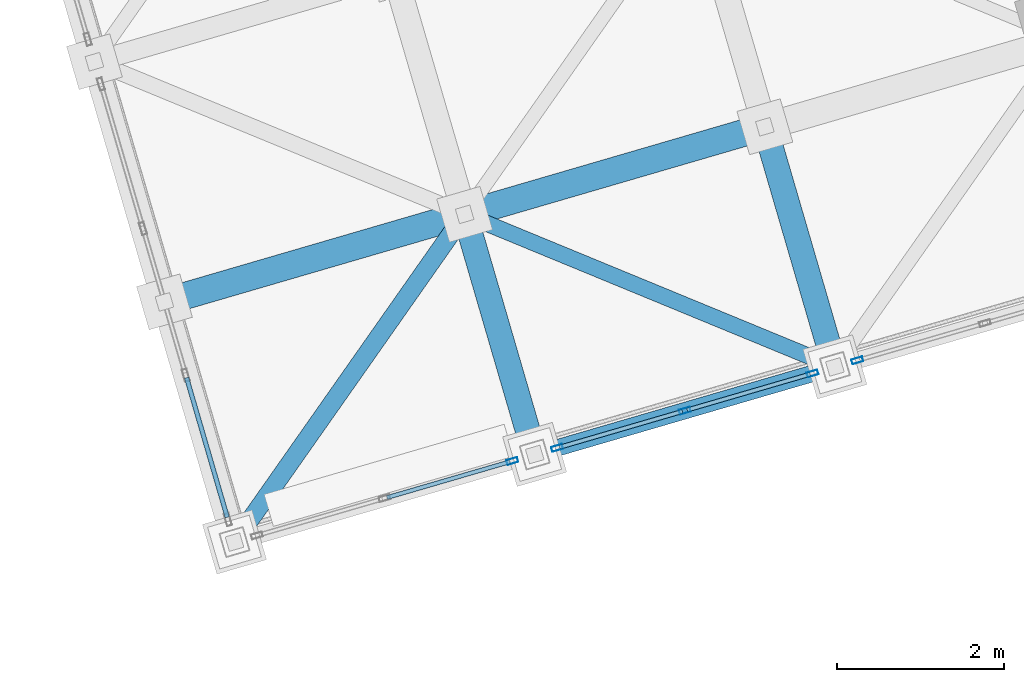
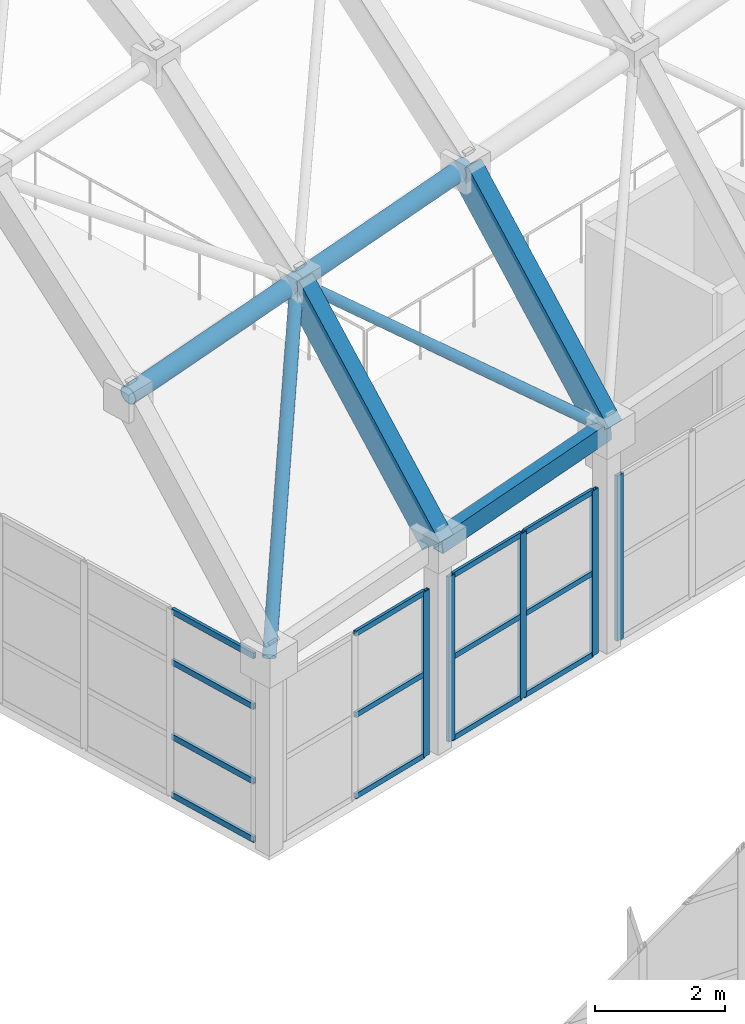
# One storey, part 32 of 248: 22 members, 3 beams, 4 elements without a shape of their own.
"""IFC4 building model written with IfcOpenShell, lengths in metres."""

from ifc_helpers import new_model, si_unit, direction, frame, origin, origin_2d, place, context, subcontext, project, spatial, hollow_rectangle, hollow_circle, extrude, material, layer, layer_set, material_profile, profile_set, type_object, element, aggregate, save


model = new_model("IFC4")

# Units and contexts
model_context = context("Model", 3, precision=1e-05, world=origin(), true_north=direction((0.0, 1.0)))
body_context = subcontext(model_context, "Body", "Model", "MODEL_VIEW")
ifc_project = project(units=[si_unit("LENGTHUNIT", "METRE"), si_unit("AREAUNIT", "SQUARE_METRE"), si_unit("VOLUMEUNIT", "CUBIC_METRE"), si_unit("PLANEANGLEUNIT", "RADIAN"), si_unit("MASSUNIT", "GRAM", prefix="KILO")], contexts=[model_context])

# Site, building, storey
site_placement = place(None, origin())
site = spatial("IfcSite", under=ifc_project, at=site_placement, CompositionType="ELEMENT")
building_placement = place(site_placement, origin())
building = spatial("IfcBuilding", under=site, at=building_placement, Name="Canggui Botanical Conservatory", CompositionType="ELEMENT")
storey_placement = place(building_placement, frame((0.0, 0.0, 5.39990234375)))
storey = spatial("IfcBuildingStorey", under=building, at=storey_placement, Name="L02", CompositionType="ELEMENT", Elevation=5.39990234375)

# Beams
ifc_material_1 = material(Name="Steel Q355C", Category="steel")
ifc_material_profile_1 = material_profile(ifc_material_1, hollow_rectangle(XDim=0.300048828125, YDim=0.5, WallThickness=0.01611328125, at=origin_2d()), Name="RHS 300x500x16")
ifc_profile_set_1 = profile_set([ifc_material_profile_1], Name="Steel Q355C")
beam_type_1 = type_object("IfcBeamType", Name="BM-GJ01", PredefinedType="BEAM", material=ifc_profile_set_1)
for number, where, z_axis, x_axis, name in (
    (1, (23.60009765625, 43.050048828125, 3.85009765625), (-0.183568061506, 0.629284758361, 0.755184387874), (-0.959989061447, -0.280037500885, 0.0), "Conservatory Stepped-Arch Rib GJ-02 Segment 1"),
    (2, (27.199951171875, 44.10009765625, 4.10009765625), (-0.183516511104, 0.629290920054, 0.755191782324), (-0.960010937337, -0.279962497833, 0.0), "Conservatory Stepped-Arch Rib GJ-03 Segment 1"),
):
    element("IfcBeam", number, at=place(storey_placement, frame(where, z_axis=z_axis, x_axis=x_axis)), inside=storey, type_object=beam_type_1, Name=name, PredefinedType="BEAM", context=body_context, shape_type="SweptSolid", body=[
        extrude(hollow_rectangle(XDim=0.300048828125, YDim=0.5, WallThickness=0.01611328125, at=origin_2d()), origin(), (0.0, 0.0, 1.0), 4.576416015625),
    ])
ifc_material_profile_2 = material_profile(ifc_material_1, hollow_rectangle(XDim=0.199951171875, YDim=0.35009765625, WallThickness=0.011962890625, at=origin_2d()), Name="RHS 200x350x12")
ifc_profile_set_2 = profile_set([ifc_material_profile_2], Name="Steel Q355C")
beam_type_2 = type_object("IfcBeamType", Name="BM-RING01", PredefinedType="BEAM", material=ifc_profile_set_2)
beam_placement = place(storey_placement, frame((23.60009765625, 43.050048828125, 3.85009765625), z_axis=(0.957867059601, 0.279402253194, 0.066521252562), x_axis=(-0.280022500685, 0.959993437014, 0.0)))
element("IfcBeam", 3, at=beam_placement, inside=storey, type_object=beam_type_2, Name="Conservatory Perimeter Ring Beam V0-02", PredefinedType="BEAM", context=body_context, shape_type="SweptSolid", body=[
    extrude(hollow_rectangle(XDim=0.199951171875, YDim=0.35009765625, WallThickness=0.011962890625, at=origin_2d()), origin(), (0.0, 0.0, 1.0), 3.75830078125),
])

# Curtain wall, member
ifc_material_2 = material(Name="Thermally Broken Aluminium", Category="aluminium")
ifc_layer_1 = layer(ifc_material_2, 0.135009765625, Name="Thermally Broken Aluminium", Category="aluminium")
ifc_layer_set_1 = layer_set([ifc_layer_1], Name="Thermally Broken Aluminium")
curtain_wall_type_1 = type_object("IfcCurtainWallType", Name="CW-STICK-A", PredefinedType="USERDEFINED", material=ifc_layer_set_1)
curtain_wall_1_placement = place(storey_placement, origin())
curtain_wall_1 = element("IfcCurtainWall", 4, at=curtain_wall_1_placement, inside=storey, type_object=curtain_wall_type_1, Name="Facade Curtain Wall CW-CONS-L02-V0-01", ObjectType="STICK GLAZED WALL", PredefinedType="USERDEFINED")
ifc_material_profile_3 = material_profile(ifc_material_2, hollow_rectangle(XDim=0.06005859375, YDim=0.135009765625, WallThickness=0.00341796875, at=origin_2d()), Name="CWM 60x135x3.5")
ifc_profile_set_3 = profile_set([ifc_material_profile_3], Name="Thermally Broken Aluminium")
member_type_1 = type_object("IfcMemberType", Name="CWM-04", PredefinedType="MULLION", material=ifc_profile_set_3)
member_1_placement = place(storey_placement, frame((23.331298828125, 42.9716796875, 0.0), z_axis=(0.0, 0.0, 1.0), x_axis=(0.279999999995, -0.960000000002, 0.0)))
member_1 = element("IfcMember", 5, at=member_1_placement, type_object=member_type_1, Name="CW-04 mullion 1", PredefinedType="MULLION", context=body_context, shape_type="SweptSolid", body=[
    extrude(hollow_rectangle(XDim=0.06005859375, YDim=0.135009765625, WallThickness=0.00341796875, at=origin_2d()), origin(), (0.0, 0.0, 1.0), 3.10009765625),
])

# Curtain wall, members
curtain_wall_2_placement = place(storey_placement, origin())
curtain_wall_2 = element("IfcCurtainWall", 6, at=curtain_wall_2_placement, inside=storey, type_object=curtain_wall_type_1, Name="Facade Curtain Wall CW-CONS-L02-V0-02", ObjectType="STICK GLAZED WALL", PredefinedType="USERDEFINED")
member_2_placement = place(storey_placement, frame((26.93115234375, 44.021484375, 0.0), z_axis=(0.0, 0.0, 1.0), x_axis=(0.279999999995, -0.960000000002, 0.0)))
member_2 = element("IfcMember", 7, at=member_2_placement, type_object=member_type_1, Name="CW-04 mullion 1", PredefinedType="MULLION", context=body_context, shape_type="SweptSolid", body=[
    extrude(hollow_rectangle(XDim=0.06005859375, YDim=0.135009765625, WallThickness=0.00341796875, at=origin_2d()), origin(), (0.0, 0.0, 1.0), 3.10009765625),
])
member_3_placement = place(storey_placement, frame((25.39990234375, 43.574951171875, 0.0), z_axis=(0.0, 0.0, 1.0), x_axis=(0.279999999995, -0.960000000002, 0.0)))
member_3 = element("IfcMember", 8, at=member_3_placement, type_object=member_type_1, Name="CW-04 mullion 2", PredefinedType="MULLION", context=body_context, shape_type="SweptSolid", body=[
    extrude(hollow_rectangle(XDim=0.06005859375, YDim=0.135009765625, WallThickness=0.00341796875, at=origin_2d()), origin(), (0.0, 0.0, 1.0), 3.10009765625),
])
member_4_placement = place(storey_placement, frame((23.868896484375, 43.12841796875, 0.0), z_axis=(0.0, 0.0, 1.0), x_axis=(0.279999999995, -0.960000000002, 0.0)))
member_4 = element("IfcMember", 9, at=member_4_placement, type_object=member_type_1, Name="CW-04 mullion 3", PredefinedType="MULLION", context=body_context, shape_type="SweptSolid", body=[
    extrude(hollow_rectangle(XDim=0.06005859375, YDim=0.135009765625, WallThickness=0.00341796875, at=origin_2d()), origin(), (0.0, 0.0, 1.0), 3.10009765625),
])

# Curtain wall, member
curtain_wall_3_placement = place(storey_placement, origin())
curtain_wall_3 = element("IfcCurtainWall", 10, at=curtain_wall_3_placement, inside=storey, type_object=curtain_wall_type_1, Name="Facade Curtain Wall CW-CONS-L02-V0-03", ObjectType="STICK GLAZED WALL", PredefinedType="USERDEFINED")
member_5_placement = place(storey_placement, frame((27.46875, 44.178466796875, 0.0), z_axis=(0.0, 0.0, 1.0), x_axis=(0.279999999995, -0.960000000002, 0.0)))
member_5 = element("IfcMember", 11, at=member_5_placement, type_object=member_type_1, Name="CW-04 mullion 3", PredefinedType="MULLION", context=body_context, shape_type="SweptSolid", body=[
    extrude(hollow_rectangle(XDim=0.06005859375, YDim=0.135009765625, WallThickness=0.00341796875, at=origin_2d()), origin(), (0.0, 0.0, 1.0), 3.10009765625),
])
aggregate(curtain_wall_3, [member_5])

# Curtain wall, members
ifc_layer_2 = layer(ifc_material_2, 0.14990234375, Name="Thermally Broken Aluminium", Category="aluminium")
ifc_layer_set_2 = layer_set([ifc_layer_2], Name="Thermally Broken Aluminium")
curtain_wall_type_2 = type_object("IfcCurtainWallType", Name="CW-UNIT-C", PredefinedType="USERDEFINED", material=ifc_layer_set_2)
curtain_wall_4_placement = place(storey_placement, origin())
curtain_wall_4 = element("IfcCurtainWall", 12, at=curtain_wall_4_placement, inside=storey, type_object=curtain_wall_type_2, Name="Facade Curtain Wall CW-CONS-GABLE-L02-S-01", ObjectType="UNITISED CURTAIN WALL", PredefinedType="USERDEFINED")
ifc_material_profile_4 = material_profile(ifc_material_2, hollow_rectangle(XDim=0.054931640625, YDim=0.110107421875, WallThickness=0.0029296875, at=origin_2d()), Name="CWT 55x110x3")
ifc_profile_set_4 = profile_set([ifc_material_profile_4], Name="Thermally Broken Aluminium")
member_type_2 = type_object("IfcMemberType", Name="CWT-03", PredefinedType="USERDEFINED", material=ifc_profile_set_4)
member_6_placement = place(storey_placement, frame((19.9130859375, 42.297607421875, 0.027587890625), z_axis=(-0.279951599808, 0.960014115399, 0.0), x_axis=(-0.960014115399, -0.279951599808, 0.0)))
member_6 = element("IfcMember", 13, at=member_6_placement, type_object=member_type_2, Name="CW-03 transom 1.1", ObjectType="TRANSOM", PredefinedType="USERDEFINED", context=body_context, shape_type="SweptSolid", body=[
    extrude(hollow_rectangle(XDim=0.054931640625, YDim=0.110107421875, WallThickness=0.0029296875, at=origin_2d()), origin(), (0.0, 0.0, 1.0), 1.743408203125),
])
member_7_placement = place(storey_placement, frame((19.9130859375, 42.297607421875, 1.1201171875), z_axis=(-0.279951599808, 0.960014115399, 0.0), x_axis=(-0.960014115399, -0.279951599808, 0.0)))
member_7 = element("IfcMember", 14, at=member_7_placement, type_object=member_type_2, Name="CW-03 transom 1.2", ObjectType="TRANSOM", PredefinedType="USERDEFINED", context=body_context, shape_type="SweptSolid", body=[
    extrude(hollow_rectangle(XDim=0.054931640625, YDim=0.110107421875, WallThickness=0.0029296875, at=origin_2d()), origin(), (0.0, 0.0, 1.0), 1.743408203125),
])
member_8_placement = place(storey_placement, frame((19.9130859375, 42.297607421875, 2.52001953125), z_axis=(-0.279951599808, 0.960014115399, 0.0), x_axis=(-0.960014115399, -0.279951599808, 0.0)))
member_8 = element("IfcMember", 15, at=member_8_placement, type_object=member_type_2, Name="CW-03 transom 1.3", ObjectType="TRANSOM", PredefinedType="USERDEFINED", context=body_context, shape_type="SweptSolid", body=[
    extrude(hollow_rectangle(XDim=0.054931640625, YDim=0.110107421875, WallThickness=0.0029296875, at=origin_2d()), origin(), (0.0, 0.0, 1.0), 1.743408203125),
])
member_9_placement = place(storey_placement, frame((19.9130859375, 42.297607421875, 3.47265625), z_axis=(-0.279951599808, 0.960014115399, 0.0), x_axis=(-0.960014115399, -0.279951599808, 0.0)))
member_9 = element("IfcMember", 16, at=member_9_placement, type_object=member_type_2, Name="CW-03 transom 1.4", ObjectType="TRANSOM", PredefinedType="USERDEFINED", context=body_context, shape_type="SweptSolid", body=[
    extrude(hollow_rectangle(XDim=0.054931640625, YDim=0.110107421875, WallThickness=0.0029296875, at=origin_2d()), origin(), (0.0, 0.0, 1.0), 1.743408203125),
])
aggregate(curtain_wall_4, [member_6, member_7, member_8, member_9])

# Member
ifc_material_profile_5 = material_profile(ifc_material_2, hollow_rectangle(XDim=0.050048828125, YDim=0.10009765625, WallThickness=0.0029296875, at=origin_2d()), Name="CWT 50x100x3")
ifc_profile_set_5 = profile_set([ifc_material_profile_5], Name="Thermally Broken Aluminium")
member_type_3 = type_object("IfcMemberType", Name="CWT-04", PredefinedType="USERDEFINED", material=ifc_profile_set_5)
member_10_placement = place(storey_placement, frame((23.302490234375, 42.963134765625, 0.025146484375), z_axis=(-0.960021373424, -0.279926709282, 0.0), x_axis=(0.279926709282, -0.960021373424, 0.0)))
member_10 = element("IfcMember", 17, at=member_10_placement, type_object=member_type_3, Name="CW-04 transom 1.1", ObjectType="TRANSOM", PredefinedType="USERDEFINED", context=body_context, shape_type="SweptSolid", body=[
    extrude(hollow_rectangle(XDim=0.050048828125, YDim=0.10009765625, WallThickness=0.0029296875, at=origin_2d()), origin(), (0.0, 0.0, 1.0), 1.534912109375),
])

member_11_placement = place(storey_placement, frame((23.302490234375, 42.963134765625, 1.550048828125), z_axis=(-0.960021373424, -0.279926709282, 0.0), x_axis=(0.279926709282, -0.960021373424, 0.0)))
member_11 = element("IfcMember", 18, at=member_11_placement, type_object=member_type_3, Name="CW-04 transom 1.2", ObjectType="TRANSOM", PredefinedType="USERDEFINED", context=body_context, shape_type="SweptSolid", body=[
    extrude(hollow_rectangle(XDim=0.050048828125, YDim=0.10009765625, WallThickness=0.0029296875, at=origin_2d()), origin(), (0.0, 0.0, 1.0), 1.534912109375),
])

member_12_placement = place(storey_placement, frame((23.302490234375, 42.963134765625, 3.0751953125), z_axis=(-0.960021373424, -0.279926709282, 0.0), x_axis=(0.279926709282, -0.960021373424, 0.0)))
member_12 = element("IfcMember", 19, at=member_12_placement, type_object=member_type_3, Name="CW-04 transom 1.3", ObjectType="TRANSOM", PredefinedType="USERDEFINED", context=body_context, shape_type="SweptSolid", body=[
    extrude(hollow_rectangle(XDim=0.050048828125, YDim=0.10009765625, WallThickness=0.0029296875, at=origin_2d()), origin(), (0.0, 0.0, 1.0), 1.534912109375),
])

aggregate(curtain_wall_1, [member_1, member_10, member_11, member_12])

member_13_placement = place(storey_placement, frame((26.90234375, 44.01318359375, 0.025146484375), z_axis=(-0.960021373424, -0.279926709282, 0.0), x_axis=(0.279926709282, -0.960021373424, 0.0)))
member_13 = element("IfcMember", 20, at=member_13_placement, type_object=member_type_3, Name="CW-04 transom 1.1", ObjectType="TRANSOM", PredefinedType="USERDEFINED", context=body_context, shape_type="SweptSolid", body=[
    extrude(hollow_rectangle(XDim=0.050048828125, YDim=0.10009765625, WallThickness=0.0029296875, at=origin_2d()), origin(), (0.0, 0.0, 1.0), 1.534912109375),
])

member_14_placement = place(storey_placement, frame((26.90234375, 44.01318359375, 1.550048828125), z_axis=(-0.960021373424, -0.279926709282, 0.0), x_axis=(0.279926709282, -0.960021373424, 0.0)))
member_14 = element("IfcMember", 21, at=member_14_placement, type_object=member_type_3, Name="CW-04 transom 1.2", ObjectType="TRANSOM", PredefinedType="USERDEFINED", context=body_context, shape_type="SweptSolid", body=[
    extrude(hollow_rectangle(XDim=0.050048828125, YDim=0.10009765625, WallThickness=0.0029296875, at=origin_2d()), origin(), (0.0, 0.0, 1.0), 1.534912109375),
])

member_15_placement = place(storey_placement, frame((26.90234375, 44.01318359375, 3.0751953125), z_axis=(-0.960021373424, -0.279926709282, 0.0), x_axis=(0.279926709282, -0.960021373424, 0.0)))
member_15 = element("IfcMember", 22, at=member_15_placement, type_object=member_type_3, Name="CW-04 transom 1.3", ObjectType="TRANSOM", PredefinedType="USERDEFINED", context=body_context, shape_type="SweptSolid", body=[
    extrude(hollow_rectangle(XDim=0.050048828125, YDim=0.10009765625, WallThickness=0.0029296875, at=origin_2d()), origin(), (0.0, 0.0, 1.0), 1.534912109375),
])

member_16_placement = place(storey_placement, frame((25.37109375, 43.566650390625, 0.025146484375), z_axis=(-0.95996614364, -0.28011605285, 0.0), x_axis=(0.28011605285, -0.95996614364, 0.0)))
member_16 = element("IfcMember", 23, at=member_16_placement, type_object=member_type_3, Name="CW-04 transom 2.1", ObjectType="TRANSOM", PredefinedType="USERDEFINED", context=body_context, shape_type="SweptSolid", body=[
    extrude(hollow_rectangle(XDim=0.050048828125, YDim=0.10009765625, WallThickness=0.0029296875, at=origin_2d()), origin(), (0.0, 0.0, 1.0), 1.534912109375),
])

member_17_placement = place(storey_placement, frame((25.37109375, 43.566650390625, 1.550048828125), z_axis=(-0.95996614364, -0.28011605285, 0.0), x_axis=(0.28011605285, -0.95996614364, 0.0)))
member_17 = element("IfcMember", 24, at=member_17_placement, type_object=member_type_3, Name="CW-04 transom 2.2", ObjectType="TRANSOM", PredefinedType="USERDEFINED", context=body_context, shape_type="SweptSolid", body=[
    extrude(hollow_rectangle(XDim=0.050048828125, YDim=0.10009765625, WallThickness=0.0029296875, at=origin_2d()), origin(), (0.0, 0.0, 1.0), 1.534912109375),
])

member_18_placement = place(storey_placement, frame((25.37109375, 43.566650390625, 3.0751953125), z_axis=(-0.95996614364, -0.28011605285, 0.0), x_axis=(0.28011605285, -0.95996614364, 0.0)))
member_18 = element("IfcMember", 25, at=member_18_placement, type_object=member_type_3, Name="CW-04 transom 2.3", ObjectType="TRANSOM", PredefinedType="USERDEFINED", context=body_context, shape_type="SweptSolid", body=[
    extrude(hollow_rectangle(XDim=0.050048828125, YDim=0.10009765625, WallThickness=0.0029296875, at=origin_2d()), origin(), (0.0, 0.0, 1.0), 1.534912109375),
])

aggregate(curtain_wall_2, [member_2, member_3, member_4, member_13, member_14, member_15, member_16, member_17, member_18])

# Members
ifc_material_profile_6 = material_profile(ifc_material_1, hollow_circle(Radius=0.16259765625, WallThickness=0.011962890625, at=origin_2d()), Name="CHS 325x12")
ifc_profile_set_6 = profile_set([ifc_material_profile_6], Name="Steel Q355C")
member_type_4 = type_object("IfcMemberType", Name="MEM-GSC01", PredefinedType="CHORD", material=ifc_profile_set_6)
for number, where, z_axis, x_axis, name in (
    (26, (19.159912109375, 44.8798828125, 7.05615234375), (0.957872417874, 0.27938486839, 0.066517113516), (-0.280004999853, 0.959998541695, 0.0), "Conservatory Gridshell Longitudinal Chord 1-1"),
    (27, (22.760009765625, 45.929931640625, 7.30615234375), (0.957872417874, 0.27938486839, 0.066517113516), (-0.280004999853, 0.959998541695, 0.0), "Conservatory Gridshell Longitudinal Chord 2-1"),
):
    element("IfcMember", number, at=place(storey_placement, frame(where, z_axis=z_axis, x_axis=x_axis)), inside=storey, type_object=member_type_4, Name=name, PredefinedType="CHORD", context=body_context, shape_type="SweptSolid", body=[
        extrude(hollow_circle(Radius=0.16259765625, WallThickness=0.011962890625, at=origin_2d()), origin(), (0.0, 0.0, 1.0), 3.758544921875),
    ])
ifc_material_profile_7 = material_profile(ifc_material_1, hollow_circle(Radius=0.109619140625, WallThickness=0.008056640625, at=origin_2d()), Name="CHS 219x8")
ifc_profile_set_7 = profile_set([ifc_material_profile_7], Name="Steel Q355C")
member_type_5 = type_object("IfcMemberType", Name="MEM-GSD01", PredefinedType="RAFTER", material=ifc_profile_set_7)
member_19_placement = place(storey_placement, frame((20.0, 42.0, 3.60009765625), z_axis=(0.454993560937, 0.647857704592, 0.61095110615), x_axis=(-0.818344854073, 0.574727500484, 0.0)))
element("IfcMember", 28, at=member_19_placement, inside=storey, type_object=member_type_5, Name="Conservatory Gridshell Diagrid Rafter 1-1", PredefinedType="RAFTER", context=body_context, shape_type="SweptSolid", body=[
    extrude(hollow_circle(Radius=0.109619140625, WallThickness=0.008056640625, at=origin_2d()), origin(), (0.0, 0.0, 1.0), 6.066162109375),
])
ifc_material_profile_8 = material_profile(ifc_material_1, hollow_circle(Radius=0.096923828125, WallThickness=0.008056640625, at=origin_2d()), Name="CHS 194x8")
ifc_profile_set_8 = profile_set([ifc_material_profile_8], Name="Steel Q355C")
member_type_6 = type_object("IfcMemberType", Name="MEM-GSD02", PredefinedType="RAFTER", material=ifc_profile_set_8)
member_20_placement = place(storey_placement, frame((22.760009765625, 45.929931640625, 7.30615234375), z_axis=(0.768941688522, -0.316904099608, -0.555248116885), x_axis=(0.381038726983, 0.924559077907, 0.0)))
element("IfcMember", 29, at=member_20_placement, inside=storey, type_object=member_type_6, Name="Conservatory Gridshell Diagrid Rafter 2-1", PredefinedType="RAFTER", context=body_context, shape_type="SweptSolid", body=[
    extrude(hollow_circle(Radius=0.096923828125, WallThickness=0.008056640625, at=origin_2d()), origin(), (0.0, 0.0, 1.0), 5.774169921875),
])

save(model, "model.ifc")
